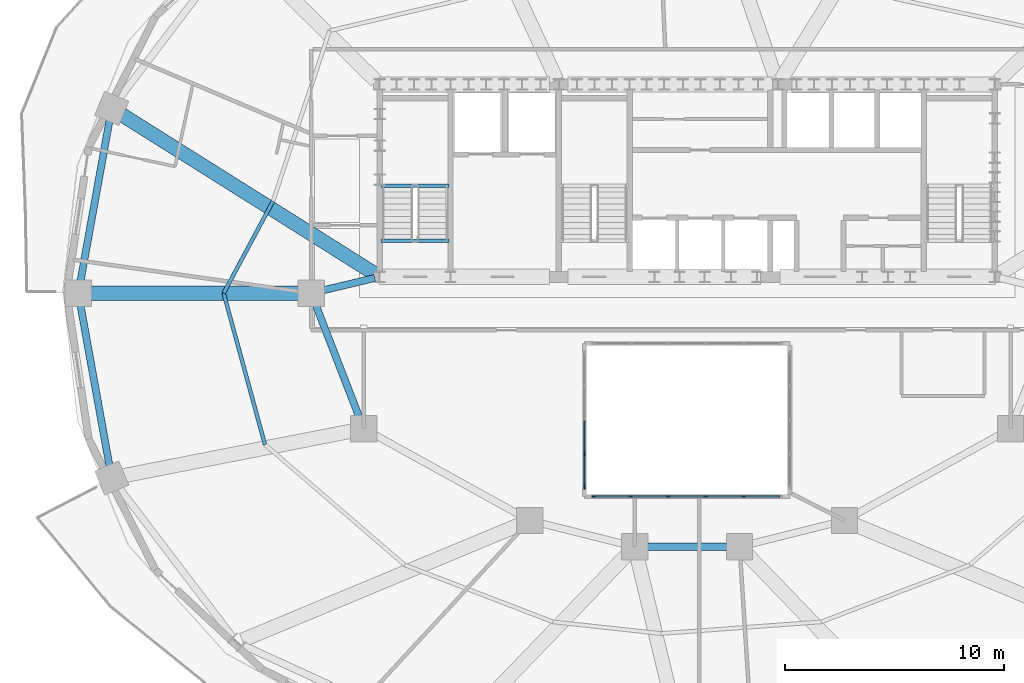
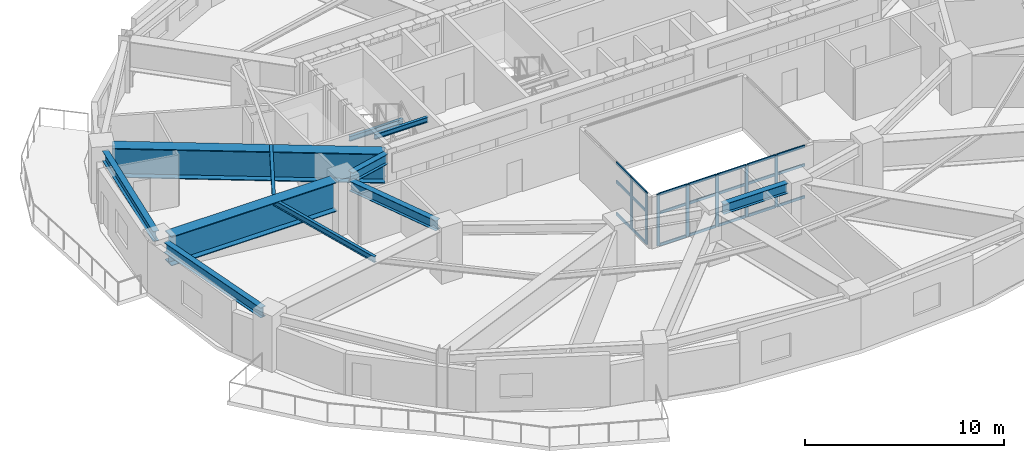
# One storey, part 2 of 13: 28 members, 11 beams, 2 elements without a shape of their own.
"""IFC4 building model written with IfcOpenShell, lengths in metres."""

from ifc_helpers import new_model, si_unit, direction, frame, origin, origin_2d, place, context, subcontext, project, spatial, rectangle, i_section, extrude, material, material_profile, profile_set, type_object, element, aggregate, save


model = new_model("IFC4")

# Units and contexts
model_context = context("Model", 3, precision=1e-05, world=origin(), true_north=direction((0.0, 1.0)))
body_context = subcontext(model_context, "Body", "Model", "MODEL_VIEW")
ifc_project = project(units=[si_unit("LENGTHUNIT", "METRE"), si_unit("AREAUNIT", "SQUARE_METRE"), si_unit("VOLUMEUNIT", "CUBIC_METRE"), si_unit("PLANEANGLEUNIT", "RADIAN"), si_unit("MASSUNIT", "GRAM", prefix="KILO")], contexts=[model_context])

# Site, building, storey
site_placement = place(None, origin())
site = spatial("IfcSite", under=ifc_project, at=site_placement, CompositionType="ELEMENT")
building_placement = place(site_placement, origin())
building = spatial("IfcBuilding", under=site, at=building_placement, Name="Haldorwick Loom Tower", CompositionType="ELEMENT")
storey_placement = place(building_placement, frame((0.0, 0.0, 127.699951171875)))
storey = spatial("IfcBuildingStorey", under=building, at=storey_placement, Name="L34", CompositionType="ELEMENT", Elevation=127.699951171875)

# Curtain wall, members
ifc_material_1 = material(Name="Thermally Broken Anodized Aluminium Curtain Wall Framing", Category="aluminium")
curtain_wall_type = type_object("IfcCurtainWallType", Name="ARC-CW-03", PredefinedType="NOTDEFINED", material=ifc_material_1)
curtain_wall_1_placement = place(storey_placement, origin())
curtain_wall_1 = element("IfcCurtainWall", 1, at=curtain_wall_1_placement, inside=storey, type_object=curtain_wall_type, Name="L34 Atrium Glazed Screen S", PredefinedType="NOTDEFINED")
ifc_material_profile_1 = material_profile(ifc_material_1, rectangle(XDim=0.06591796875, YDim=0.18505859375, at=origin_2d()), Name="ALU_MUL_66X185", Category="aluminium")
ifc_profile_set_1 = profile_set([ifc_material_profile_1], Name="Thermally Broken Anodized Aluminium Curtain Wall Framing")
member_type_1 = type_object("IfcMemberType", Name="ARC-CWM-03", PredefinedType="MULLION", material=ifc_profile_set_1)
member_1_placement = place(storey_placement, frame((38.580078125, 16.699951171875, 0.0), z_axis=(0.0, 0.0, 1.0), x_axis=(0.0, -1.0, 0.0)))
member_1 = element("IfcMember", 2, at=member_1_placement, type_object=member_type_1, Name="CW-03 mullion 2", PredefinedType="MULLION", context=body_context, shape_type="SweptSolid", body=[
    extrude(rectangle(XDim=0.06591796875, YDim=0.18505859375, at=origin_2d()), origin(), (0.0, 0.0, 1.0), 3.170166015625),
])
member_2_placement = place(storey_placement, frame((36.860107421875, 16.699951171875, 0.0), z_axis=(0.0, 0.0, 1.0), x_axis=(0.0, -1.0, 0.0)))
member_2 = element("IfcMember", 3, at=member_2_placement, type_object=member_type_1, Name="CW-03 mullion 3", PredefinedType="MULLION", context=body_context, shape_type="SweptSolid", body=[
    extrude(rectangle(XDim=0.06591796875, YDim=0.18505859375, at=origin_2d()), origin(), (0.0, 0.0, 1.0), 3.170166015625),
])
member_3_placement = place(storey_placement, frame((35.139892578125, 16.699951171875, 0.0), z_axis=(0.0, 0.0, 1.0), x_axis=(0.0, -1.0, 0.0)))
member_3 = element("IfcMember", 4, at=member_3_placement, type_object=member_type_1, Name="CW-03 mullion 4", PredefinedType="MULLION", context=body_context, shape_type="SweptSolid", body=[
    extrude(rectangle(XDim=0.06591796875, YDim=0.18505859375, at=origin_2d()), origin(), (0.0, 0.0, 1.0), 3.170166015625),
])
member_4_placement = place(storey_placement, frame((33.419921875, 16.699951171875, 0.0), z_axis=(0.0, 0.0, 1.0), x_axis=(0.0, -1.0, 0.0)))
member_4 = element("IfcMember", 5, at=member_4_placement, type_object=member_type_1, Name="CW-03 mullion 5", PredefinedType="MULLION", context=body_context, shape_type="SweptSolid", body=[
    extrude(rectangle(XDim=0.06591796875, YDim=0.18505859375, at=origin_2d()), origin(), (0.0, 0.0, 1.0), 3.170166015625),
])
member_5_placement = place(storey_placement, frame((31.73291015625, 16.699951171875, 0.0), z_axis=(0.0, 0.0, 1.0), x_axis=(0.0, -1.0, 0.0)))
member_5 = element("IfcMember", 6, at=member_5_placement, type_object=member_type_1, Name="CW-03 mullion 6", PredefinedType="MULLION", context=body_context, shape_type="SweptSolid", body=[
    extrude(rectangle(XDim=0.06591796875, YDim=0.18505859375, at=origin_2d()), origin(), (0.0, 0.0, 1.0), 3.170166015625),
])

curtain_wall_2_placement = place(storey_placement, origin())
curtain_wall_2 = element("IfcCurtainWall", 7, at=curtain_wall_2_placement, inside=storey, type_object=curtain_wall_type, Name="L34 Atrium Glazed Screen W", PredefinedType="NOTDEFINED")
member_6_placement = place(storey_placement, frame((31.300048828125, 17.133056640625, 0.0), z_axis=(0.0, 0.0, 1.0), x_axis=(-1.0, 0.0, 0.0)))
member_6 = element("IfcMember", 8, at=member_6_placement, type_object=member_type_1, Name="CW-03 mullion 1", PredefinedType="MULLION", context=body_context, shape_type="SweptSolid", body=[
    extrude(rectangle(XDim=0.06591796875, YDim=0.18505859375, at=origin_2d()), origin(), (0.0, 0.0, 1.0), 3.170166015625),
])
member_7_placement = place(storey_placement, frame((31.300048828125, 18.64990234375, 0.0), z_axis=(0.0, 0.0, 1.0), x_axis=(-1.0, 0.0, 0.0)))
member_7 = element("IfcMember", 9, at=member_7_placement, type_object=member_type_1, Name="CW-03 mullion 2", PredefinedType="MULLION", context=body_context, shape_type="SweptSolid", body=[
    extrude(rectangle(XDim=0.06591796875, YDim=0.18505859375, at=origin_2d()), origin(), (0.0, 0.0, 1.0), 3.170166015625),
])

# Member
ifc_material_profile_2 = material_profile(ifc_material_1, rectangle(XDim=0.06591796875, YDim=0.1650390625, at=origin_2d()), Name="ALU_TRN_66X165", Category="aluminium")
ifc_profile_set_2 = profile_set([ifc_material_profile_2], Name="Thermally Broken Anodized Aluminium Curtain Wall Framing")
member_type_2 = type_object("IfcMemberType", Name="ARC-CWT-03", PredefinedType="USERDEFINED", material=ifc_profile_set_2)
member_8_placement = place(storey_placement, frame((40.23388671875, 16.699951171875, 0.032958984375), z_axis=(-1.0, 0.0, 0.0), x_axis=(0.0, -1.0, 0.0)))
member_8 = element("IfcMember", 10, at=member_8_placement, type_object=member_type_2, Name="CW-03 transom 1.1", ObjectType="TRANSOM", PredefinedType="USERDEFINED", context=body_context, shape_type="SweptSolid", body=[
    extrude(rectangle(XDim=0.06591796875, YDim=0.1650390625, at=origin_2d()), origin(), (0.0, 0.0, 1.0), 1.620849609375),
])

member_9_placement = place(storey_placement, frame((40.23388671875, 16.699951171875, 2.0), z_axis=(-1.0, 0.0, 0.0), x_axis=(0.0, -1.0, 0.0)))
member_9 = element("IfcMember", 11, at=member_9_placement, type_object=member_type_2, Name="CW-03 transom 1.2", ObjectType="TRANSOM", PredefinedType="USERDEFINED", context=body_context, shape_type="SweptSolid", body=[
    extrude(rectangle(XDim=0.06591796875, YDim=0.1650390625, at=origin_2d()), origin(), (0.0, 0.0, 1.0), 1.620849609375),
])

member_10_placement = place(storey_placement, frame((40.23388671875, 16.699951171875, 3.136962890625), z_axis=(-1.0, 0.0, 0.0), x_axis=(0.0, -1.0, 0.0)))
member_10 = element("IfcMember", 12, at=member_10_placement, type_object=member_type_2, Name="CW-03 transom 1.3", ObjectType="TRANSOM", PredefinedType="USERDEFINED", context=body_context, shape_type="SweptSolid", body=[
    extrude(rectangle(XDim=0.06591796875, YDim=0.1650390625, at=origin_2d()), origin(), (0.0, 0.0, 1.0), 1.620849609375),
])

member_11_placement = place(storey_placement, frame((38.547119140625, 16.699951171875, 0.032958984375), z_axis=(-1.0, 0.0, 0.0), x_axis=(0.0, -1.0, 0.0)))
member_11 = element("IfcMember", 13, at=member_11_placement, type_object=member_type_2, Name="CW-03 transom 2.1", ObjectType="TRANSOM", PredefinedType="USERDEFINED", context=body_context, shape_type="SweptSolid", body=[
    extrude(rectangle(XDim=0.06591796875, YDim=0.1650390625, at=origin_2d()), origin(), (0.0, 0.0, 1.0), 1.654052734375),
])

member_12_placement = place(storey_placement, frame((38.547119140625, 16.699951171875, 2.0), z_axis=(-1.0, 0.0, 0.0), x_axis=(0.0, -1.0, 0.0)))
member_12 = element("IfcMember", 14, at=member_12_placement, type_object=member_type_2, Name="CW-03 transom 2.2", ObjectType="TRANSOM", PredefinedType="USERDEFINED", context=body_context, shape_type="SweptSolid", body=[
    extrude(rectangle(XDim=0.06591796875, YDim=0.1650390625, at=origin_2d()), origin(), (0.0, 0.0, 1.0), 1.654052734375),
])

member_13_placement = place(storey_placement, frame((38.547119140625, 16.699951171875, 3.136962890625), z_axis=(-1.0, 0.0, 0.0), x_axis=(0.0, -1.0, 0.0)))
member_13 = element("IfcMember", 15, at=member_13_placement, type_object=member_type_2, Name="CW-03 transom 2.3", ObjectType="TRANSOM", PredefinedType="USERDEFINED", context=body_context, shape_type="SweptSolid", body=[
    extrude(rectangle(XDim=0.06591796875, YDim=0.1650390625, at=origin_2d()), origin(), (0.0, 0.0, 1.0), 1.654052734375),
])

member_14_placement = place(storey_placement, frame((36.826904296875, 16.699951171875, 0.032958984375), z_axis=(-1.0, 0.0, 0.0), x_axis=(0.0, -1.0, 0.0)))
member_14 = element("IfcMember", 16, at=member_14_placement, type_object=member_type_2, Name="CW-03 transom 3.1", ObjectType="TRANSOM", PredefinedType="USERDEFINED", context=body_context, shape_type="SweptSolid", body=[
    extrude(rectangle(XDim=0.06591796875, YDim=0.1650390625, at=origin_2d()), origin(), (0.0, 0.0, 1.0), 1.65380859375),
])

member_15_placement = place(storey_placement, frame((36.826904296875, 16.699951171875, 2.0), z_axis=(-1.0, 0.0, 0.0), x_axis=(0.0, -1.0, 0.0)))
member_15 = element("IfcMember", 17, at=member_15_placement, type_object=member_type_2, Name="CW-03 transom 3.2", ObjectType="TRANSOM", PredefinedType="USERDEFINED", context=body_context, shape_type="SweptSolid", body=[
    extrude(rectangle(XDim=0.06591796875, YDim=0.1650390625, at=origin_2d()), origin(), (0.0, 0.0, 1.0), 1.65380859375),
])

member_16_placement = place(storey_placement, frame((36.826904296875, 16.699951171875, 3.136962890625), z_axis=(-1.0, 0.0, 0.0), x_axis=(0.0, -1.0, 0.0)))
member_16 = element("IfcMember", 18, at=member_16_placement, type_object=member_type_2, Name="CW-03 transom 3.3", ObjectType="TRANSOM", PredefinedType="USERDEFINED", context=body_context, shape_type="SweptSolid", body=[
    extrude(rectangle(XDim=0.06591796875, YDim=0.1650390625, at=origin_2d()), origin(), (0.0, 0.0, 1.0), 1.65380859375),
])

member_17_placement = place(storey_placement, frame((35.10693359375, 16.699951171875, 0.032958984375), z_axis=(-1.0, 0.0, 0.0), x_axis=(0.0, -1.0, 0.0)))
member_17 = element("IfcMember", 19, at=member_17_placement, type_object=member_type_2, Name="CW-03 transom 4.1", ObjectType="TRANSOM", PredefinedType="USERDEFINED", context=body_context, shape_type="SweptSolid", body=[
    extrude(rectangle(XDim=0.06591796875, YDim=0.1650390625, at=origin_2d()), origin(), (0.0, 0.0, 1.0), 1.654052734375),
])

member_18_placement = place(storey_placement, frame((35.10693359375, 16.699951171875, 2.0), z_axis=(-1.0, 0.0, 0.0), x_axis=(0.0, -1.0, 0.0)))
member_18 = element("IfcMember", 20, at=member_18_placement, type_object=member_type_2, Name="CW-03 transom 4.2", ObjectType="TRANSOM", PredefinedType="USERDEFINED", context=body_context, shape_type="SweptSolid", body=[
    extrude(rectangle(XDim=0.06591796875, YDim=0.1650390625, at=origin_2d()), origin(), (0.0, 0.0, 1.0), 1.654052734375),
])

member_19_placement = place(storey_placement, frame((35.10693359375, 16.699951171875, 3.136962890625), z_axis=(-1.0, 0.0, 0.0), x_axis=(0.0, -1.0, 0.0)))
member_19 = element("IfcMember", 21, at=member_19_placement, type_object=member_type_2, Name="CW-03 transom 4.3", ObjectType="TRANSOM", PredefinedType="USERDEFINED", context=body_context, shape_type="SweptSolid", body=[
    extrude(rectangle(XDim=0.06591796875, YDim=0.1650390625, at=origin_2d()), origin(), (0.0, 0.0, 1.0), 1.654052734375),
])

member_20_placement = place(storey_placement, frame((33.386962890625, 16.699951171875, 0.032958984375), z_axis=(-1.0, 0.0, 0.0), x_axis=(0.0, -1.0, 0.0)))
member_20 = element("IfcMember", 22, at=member_20_placement, type_object=member_type_2, Name="CW-03 transom 5.1", ObjectType="TRANSOM", PredefinedType="USERDEFINED", context=body_context, shape_type="SweptSolid", body=[
    extrude(rectangle(XDim=0.06591796875, YDim=0.1650390625, at=origin_2d()), origin(), (0.0, 0.0, 1.0), 1.620849609375),
])

member_21_placement = place(storey_placement, frame((33.386962890625, 16.699951171875, 2.0), z_axis=(-1.0, 0.0, 0.0), x_axis=(0.0, -1.0, 0.0)))
member_21 = element("IfcMember", 23, at=member_21_placement, type_object=member_type_2, Name="CW-03 transom 5.2", ObjectType="TRANSOM", PredefinedType="USERDEFINED", context=body_context, shape_type="SweptSolid", body=[
    extrude(rectangle(XDim=0.06591796875, YDim=0.1650390625, at=origin_2d()), origin(), (0.0, 0.0, 1.0), 1.620849609375),
])

member_22_placement = place(storey_placement, frame((33.386962890625, 16.699951171875, 3.136962890625), z_axis=(-1.0, 0.0, 0.0), x_axis=(0.0, -1.0, 0.0)))
member_22 = element("IfcMember", 24, at=member_22_placement, type_object=member_type_2, Name="CW-03 transom 5.3", ObjectType="TRANSOM", PredefinedType="USERDEFINED", context=body_context, shape_type="SweptSolid", body=[
    extrude(rectangle(XDim=0.06591796875, YDim=0.1650390625, at=origin_2d()), origin(), (0.0, 0.0, 1.0), 1.620849609375),
])

aggregate(curtain_wall_1, [member_1, member_2, member_3, member_4, member_5, member_8, member_9, member_10, member_11, member_12, member_13, member_14, member_15, member_16, member_17, member_18, member_19, member_20, member_21, member_22])

member_23_placement = place(storey_placement, frame((31.300048828125, 17.166015625, 0.032958984375), z_axis=(0.0, 1.0, 0.0), x_axis=(-1.0, 0.0, 0.0)))
member_23 = element("IfcMember", 25, at=member_23_placement, type_object=member_type_2, Name="CW-03 transom 1.1", ObjectType="TRANSOM", PredefinedType="USERDEFINED", context=body_context, shape_type="SweptSolid", body=[
    extrude(rectangle(XDim=0.06591796875, YDim=0.1650390625, at=origin_2d()), origin(), (0.0, 0.0, 1.0), 1.450927734375),
])

member_24_placement = place(storey_placement, frame((31.300048828125, 17.166015625, 2.0), z_axis=(0.0, 1.0, 0.0), x_axis=(-1.0, 0.0, 0.0)))
member_24 = element("IfcMember", 26, at=member_24_placement, type_object=member_type_2, Name="CW-03 transom 1.2", ObjectType="TRANSOM", PredefinedType="USERDEFINED", context=body_context, shape_type="SweptSolid", body=[
    extrude(rectangle(XDim=0.06591796875, YDim=0.1650390625, at=origin_2d()), origin(), (0.0, 0.0, 1.0), 1.450927734375),
])

member_25_placement = place(storey_placement, frame((31.300048828125, 17.166015625, 3.136962890625), z_axis=(0.0, 1.0, 0.0), x_axis=(-1.0, 0.0, 0.0)))
member_25 = element("IfcMember", 27, at=member_25_placement, type_object=member_type_2, Name="CW-03 transom 1.3", ObjectType="TRANSOM", PredefinedType="USERDEFINED", context=body_context, shape_type="SweptSolid", body=[
    extrude(rectangle(XDim=0.06591796875, YDim=0.1650390625, at=origin_2d()), origin(), (0.0, 0.0, 1.0), 1.450927734375),
])

member_26_placement = place(storey_placement, frame((31.300048828125, 18.68310546875, 0.032958984375), z_axis=(0.0, 1.0, 0.0), x_axis=(-1.0, 0.0, 0.0)))
member_26 = element("IfcMember", 28, at=member_26_placement, type_object=member_type_2, Name="CW-03 transom 2.1", ObjectType="TRANSOM", PredefinedType="USERDEFINED", context=body_context, shape_type="SweptSolid", body=[
    extrude(rectangle(XDim=0.06591796875, YDim=0.1650390625, at=origin_2d()), origin(), (0.0, 0.0, 1.0), 1.48388671875),
])

member_27_placement = place(storey_placement, frame((31.300048828125, 18.68310546875, 2.0), z_axis=(0.0, 1.0, 0.0), x_axis=(-1.0, 0.0, 0.0)))
member_27 = element("IfcMember", 29, at=member_27_placement, type_object=member_type_2, Name="CW-03 transom 2.2", ObjectType="TRANSOM", PredefinedType="USERDEFINED", context=body_context, shape_type="SweptSolid", body=[
    extrude(rectangle(XDim=0.06591796875, YDim=0.1650390625, at=origin_2d()), origin(), (0.0, 0.0, 1.0), 1.48388671875),
])

member_28_placement = place(storey_placement, frame((31.300048828125, 18.68310546875, 3.136962890625), z_axis=(0.0, 1.0, 0.0), x_axis=(-1.0, 0.0, 0.0)))
member_28 = element("IfcMember", 30, at=member_28_placement, type_object=member_type_2, Name="CW-03 transom 2.3", ObjectType="TRANSOM", PredefinedType="USERDEFINED", context=body_context, shape_type="SweptSolid", body=[
    extrude(rectangle(XDim=0.06591796875, YDim=0.1650390625, at=origin_2d()), origin(), (0.0, 0.0, 1.0), 1.48388671875),
])

aggregate(curtain_wall_2, [member_6, member_7, member_23, member_24, member_25, member_26, member_27, member_28])

# Beams
ifc_material_2 = material(Name="Steel CSA G40.21 350W", Category="steel")
ifc_material_profile_3 = material_profile(ifc_material_2, i_section(OverallWidth=0.172119140625, OverallDepth=0.35791015625, WebThickness=0.0078125, FlangeThickness=0.01318359375, at=origin_2d()), Name="W360X57", Category="steel")
ifc_profile_set_3 = profile_set([ifc_material_profile_3], Name="Steel CSA G40.21 350W")
beam_type_1 = type_object("IfcBeamType", Name="STR-BM-J360", PredefinedType="JOIST", material=ifc_profile_set_3)
beam_1_placement = place(storey_placement, frame((17.046875, 30.201904296875, 2.990966796875), z_axis=(-0.472930162238, -0.881099915813, 0.0), x_axis=(0.881099915813, -0.472930162238, 0.0)))
element("IfcBeam", 31, at=beam_1_placement, inside=storey, type_object=beam_type_1, Name="L34 Mid-Bay Secondary Joist 8", PredefinedType="JOIST", context=body_context, shape_type="SweptSolid", body=[
    extrude(i_section(OverallWidth=0.172119140625, OverallDepth=0.35791015625, WebThickness=0.0078125, FlangeThickness=0.01318359375, at=origin_2d()), origin(), (0.0, 0.0, 1.0), 4.76904296875),
])
beam_2_placement = place(storey_placement, frame((14.79150390625, 26.0, 2.990966796875), z_axis=(0.263272762578, -0.964721437766, 0.0), x_axis=(0.964721437766, 0.263272762578, 0.0)))
element("IfcBeam", 32, at=beam_2_placement, inside=storey, type_object=beam_type_1, Name="L34 Mid-Bay Secondary Joist 9", PredefinedType="JOIST", context=body_context, shape_type="SweptSolid", body=[
    extrude(i_section(OverallWidth=0.172119140625, OverallDepth=0.35791015625, WebThickness=0.0078125, FlangeThickness=0.01318359375, at=origin_2d()), origin(), (0.0, 0.0, 1.0), 7.180419921875),
])
ifc_material_profile_4 = material_profile(ifc_material_2, i_section(OverallWidth=0.324951171875, OverallDepth=0.615966796875, WebThickness=0.013916015625, FlangeThickness=0.021484375, at=origin_2d()), Name="W610X174", Category="steel")
ifc_profile_set_4 = profile_set([ifc_material_profile_4], Name="Steel CSA G40.21 350W")
beam_type_2 = type_object("IfcBeamType", Name="STR-BM-SP610", PredefinedType="SPANDREL", material=ifc_profile_set_4)
for number, where, z_axis, x_axis, name in (
    (33, (9.576904296875, 33.945556640625, 2.862060546875), (-0.177659490888, -0.984092020747, 0.0), (0.984092020747, -0.177659490888, 0.0), "L34 Perimeter Spandrel 8"),
    (34, (8.23486328125, 25.48828125, 2.862060546875), (0.177659490888, -0.984092020747, 0.0), (0.984092020747, 0.177659490888, 0.0), "L34 Perimeter Spandrel 9"),
):
    element("IfcBeam", number, at=place(storey_placement, frame(where, z_axis=z_axis, x_axis=x_axis)), inside=storey, type_object=beam_type_2, Name=name, PredefinedType="SPANDREL", context=body_context, shape_type="SweptSolid", body=[
        extrude(i_section(OverallWidth=0.324951171875, OverallDepth=0.615966796875, WebThickness=0.013916015625, FlangeThickness=0.021484375, at=origin_2d()), origin(), (0.0, 0.0, 1.0), 7.553955078125),
    ])
ifc_material_profile_5 = material_profile(ifc_material_2, i_section(OverallWidth=0.166015625, OverallDepth=0.31298828125, WebThickness=0.006591796875, FlangeThickness=0.01123046875, at=origin_2d()), Name="W310X45", Category="steel")
ifc_profile_set_5 = profile_set([ifc_material_profile_5], Name="Steel CSA G40.21 350W")
beam_type_3 = type_object("IfcBeamType", Name="STR-BM-STRM", PredefinedType="BEAM", material=ifc_profile_set_5)
for number, where, z_axis, x_axis, name in (
    (35, (21.989990234375, 28.39990234375, 3.013427734375), (1.0, 0.0, 0.0), (0.0, 1.0, 0.0), "L34 Stair ST-01 Landing Edge Trimmer"),
    (36, (21.989990234375, 30.919921875, 1.36865234375), (1.0, 0.0, 0.0), (0.0, 1.0, 0.0), "L34 Stair ST-01 Half-Landing Trimmer 1"),
):
    element("IfcBeam", number, at=place(storey_placement, frame(where, z_axis=z_axis, x_axis=x_axis)), inside=storey, type_object=beam_type_3, Name=name, PredefinedType="BEAM", context=body_context, shape_type="SweptSolid", body=[
        extrude(i_section(OverallWidth=0.166015625, OverallDepth=0.31298828125, WebThickness=0.006591796875, FlangeThickness=0.01123046875, at=origin_2d()), origin(), (0.0, 0.0, 1.0), 3.1201171875),
    ])
ifc_material_3 = material(Name="Steel CSA G40.21 350WT", Category="steel")
ifc_material_profile_6 = material_profile(ifc_material_3, i_section(OverallWidth=0.64990234375, OverallDepth=1.800048828125, WebThickness=0.02587890625, FlangeThickness=0.048095703125, at=origin_2d()), Name="WWF1800X650", Category="steel")
ifc_profile_set_6 = profile_set([ifc_material_profile_6], Name="Steel CSA G40.21 350WT")
beam_type_4 = type_object("IfcBeamType", Name="STR-BM-TG1800", PredefinedType="BEAM", material=ifc_profile_set_6)
beam_3_placement = place(storey_placement, frame((21.739501953125, 26.86962890625, 2.27001953125), z_axis=(-0.846609551433, 0.532214493811, 0.0), x_axis=(-0.532214493811, -0.846609551433, 0.0)))
element("IfcBeam", 37, at=beam_3_placement, inside=storey, type_object=beam_type_4, Name="L34 Setback Inner Transfer Girder 8", PredefinedType="BEAM", context=body_context, shape_type="SweptSolid", body=[
    extrude(i_section(OverallWidth=0.64990234375, OverallDepth=1.800048828125, WebThickness=0.02587890625, FlangeThickness=0.048095703125, at=origin_2d()), origin(), (0.0, 0.0, 1.0), 13.737060546875),
])
beam_4_placement = place(storey_placement, frame((18.280029296875, 26.0, 2.27001953125), z_axis=(-1.0, 0.0, 0.0), x_axis=(0.0, -1.0, 0.0)))
element("IfcBeam", 38, at=beam_4_placement, inside=storey, type_object=beam_type_4, Name="L34 Setback Inner Transfer Girder 9", PredefinedType="BEAM", context=body_context, shape_type="SweptSolid", body=[
    extrude(i_section(OverallWidth=0.64990234375, OverallDepth=1.800048828125, WebThickness=0.02587890625, FlangeThickness=0.048095703125, at=origin_2d()), origin(), (0.0, 0.0, 1.0), 9.61767578125),
])
ifc_material_profile_7 = material_profile(ifc_material_2, i_section(OverallWidth=0.324951171875, OverallDepth=0.615966796875, WebThickness=0.013916015625, FlangeThickness=0.021484375, at=origin_2d()), Name="W610X174", Category="steel")
ifc_profile_set_7 = profile_set([ifc_material_profile_7], Name="Steel CSA G40.21 350W")
beam_type_5 = type_object("IfcBeamType", Name="STR-BM-W610A", PredefinedType="BEAM", material=ifc_profile_set_7)
beam_5_placement = place(storey_placement, frame((37.8798828125, 14.39990234375, 2.862060546875), z_axis=(-1.0, 0.0, 0.0), x_axis=(0.0, -1.0, 0.0)))
element("IfcBeam", 39, at=beam_5_placement, inside=storey, type_object=beam_type_5, Name="L34 Inner Ring Girder 5", PredefinedType="BEAM", context=body_context, shape_type="SweptSolid", body=[
    extrude(i_section(OverallWidth=0.324951171875, OverallDepth=0.615966796875, WebThickness=0.013916015625, FlangeThickness=0.021484375, at=origin_2d()), origin(), (0.0, 0.0, 1.0), 3.759765625),
])
beam_6_placement = place(storey_placement, frame((21.01220703125, 20.284912109375, 2.862060546875), z_axis=(-0.360964792353, 0.93257944363, 0.0), x_axis=(-0.93257944363, -0.360964792353, 0.0)))
element("IfcBeam", 40, at=beam_6_placement, inside=storey, type_object=beam_type_5, Name="L34 Inner Ring Girder 8", PredefinedType="BEAM", context=body_context, shape_type="SweptSolid", body=[
    extrude(i_section(OverallWidth=0.324951171875, OverallDepth=0.615966796875, WebThickness=0.013916015625, FlangeThickness=0.021484375, at=origin_2d()), origin(), (0.0, 0.0, 1.0), 5.6083984375),
])
beam_7_placement = place(storey_placement, frame((19.3056640625, 26.12109375, 2.862060546875), z_axis=(0.97247055837, 0.233025777764, 0.0), x_axis=(-0.233025777764, 0.97247055837, 0.0)))
element("IfcBeam", 41, at=beam_7_placement, inside=storey, type_object=beam_type_5, Name="L34 Inner Ring Girder 9", PredefinedType="BEAM", context=body_context, shape_type="SweptSolid", body=[
    extrude(i_section(OverallWidth=0.324951171875, OverallDepth=0.615966796875, WebThickness=0.013916015625, FlangeThickness=0.021484375, at=origin_2d()), origin(), (0.0, 0.0, 1.0), 2.4736328125),
])

save(model, "model.ifc")
